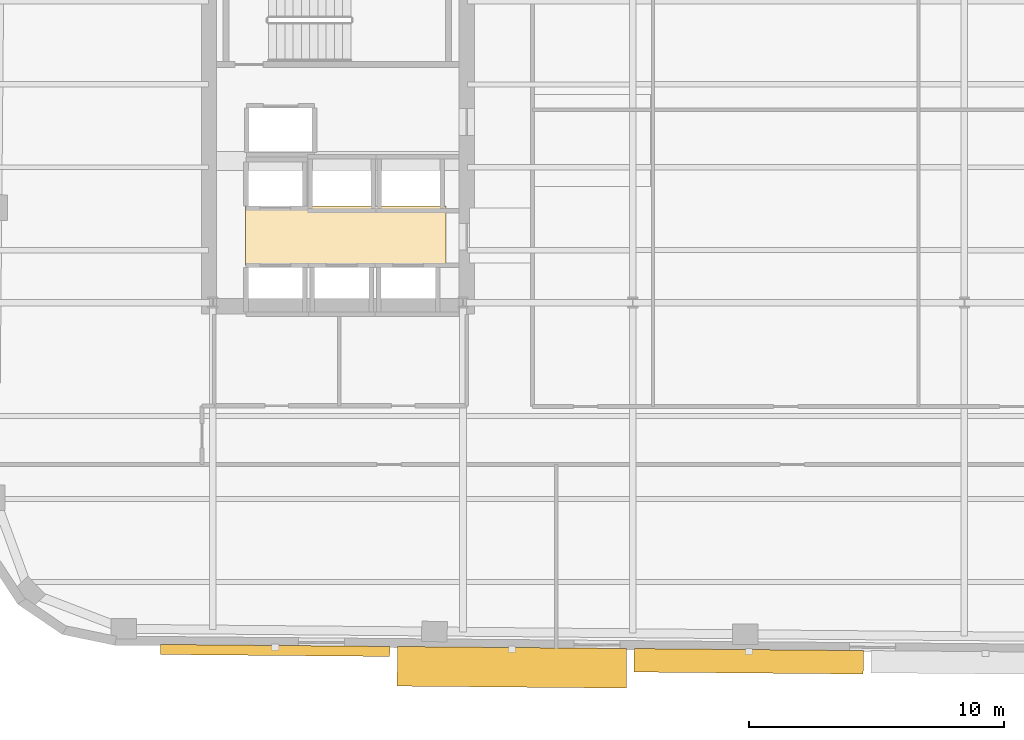
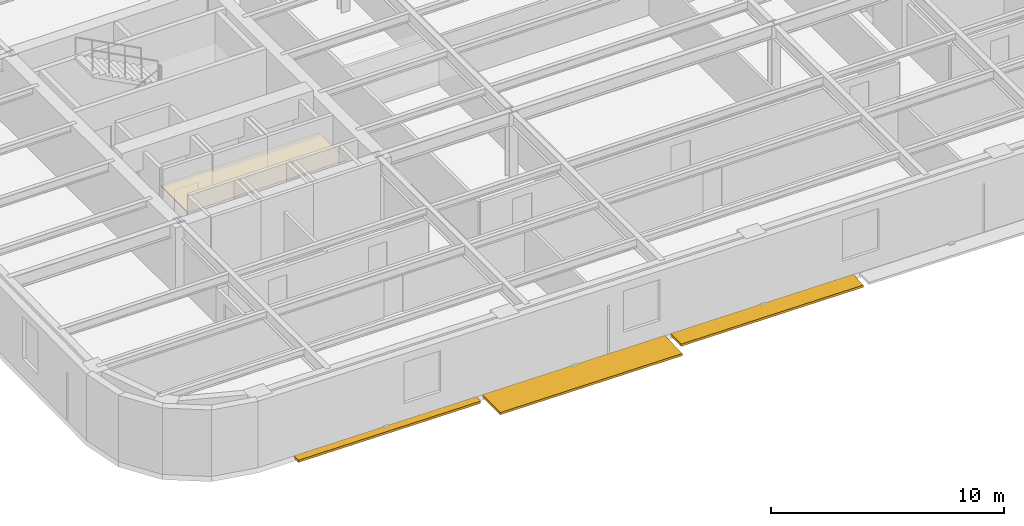
# One storey, part 8 of 11: 3 shading devices, 1 covering.
"""IFC4 building model written with IfcOpenShell, lengths in metres."""

from ifc_helpers import new_model, si_unit, direction, frame, origin, origin_2d, place, context, subcontext, project, spatial, polyline, rectangle, outline, extrude, material, layer, layer_set, type_object, element, save


model = new_model("IFC4")

# Units and contexts
model_context = context("Model", 3, precision=1e-05, world=origin(), true_north=direction((0.0, 1.0)))
body_context = subcontext(model_context, "Body", "Model", "MODEL_VIEW")
ifc_project = project(units=[si_unit("LENGTHUNIT", "METRE"), si_unit("AREAUNIT", "SQUARE_METRE"), si_unit("VOLUMEUNIT", "CUBIC_METRE"), si_unit("PLANEANGLEUNIT", "RADIAN"), si_unit("MASSUNIT", "GRAM", prefix="KILO")], contexts=[model_context])

# Site, building, storey
site_placement = place(None, origin())
site = spatial("IfcSite", under=ifc_project, at=site_placement, CompositionType="ELEMENT")
building_placement = place(site_placement, origin())
building = spatial("IfcBuilding", under=site, at=building_placement, Name="Kolvaren Arena Tower", CompositionType="ELEMENT")
storey_placement = place(building_placement, frame((0.0, 0.0, 169.699951171875)))
storey = spatial("IfcBuildingStorey", under=building, at=storey_placement, Name="L40", CompositionType="ELEMENT", Elevation=169.699951171875)

# Covering
ifc_material_1 = material(Name="Moisture-resistant gypsum ceiling", Category="gypsum")
ifc_layer = layer(ifc_material_1, 0.030029296875)
ifc_layer_set = layer_set([ifc_layer], Name="Moisture-resistant gypsum ceiling")
covering_type = type_object("IfcCoveringType", Name="CEIL-GYP-1", PredefinedType="CEILING", material=ifc_layer_set)
covering_placement = place(storey_placement, frame((0.0, 0.0, 2.52001953125)))
element("IfcCovering", 1, at=covering_placement, inside=storey, type_object=covering_type, Name="Suspended Ceiling (L40)", PredefinedType="CEILING", context=body_context, shape_type="SweptSolid", body=[
    extrude(outline(polyline([(15.820068359375, 20.89990234375), (15.820068359375, 23.239990234375), (23.679931640625, 23.239990234375), (23.679931640625, 20.89990234375), (15.820068359375, 20.89990234375)])), origin(), (0.0, 0.0, 1.0), 0.030029296875),
])

# Shading devices
ifc_material_2 = material(Name="Architectural precast GFRC and anodised aluminium sunshade", Category="concrete")
shading_device_type_1 = type_object("IfcShadingDeviceType", Name="SHAD-SINE-A", PredefinedType="USERDEFINED", material=ifc_material_2)
shading_device_1_placement = place(storey_placement, frame((35.547607421875, 5.389892578125, -0.139892578125), z_axis=(0.0, 0.0, 1.0), x_axis=(-0.999961923064, 0.008726535498, 0.0)))
element("IfcShadingDevice", 2, at=shading_device_1_placement, inside=storey, type_object=shading_device_type_1, Name="Sinusoidal Slab-Edge Sunshade Louvre (L40)", ObjectType="LOUVRE", PredefinedType="USERDEFINED", context=body_context, shape_type="SweptSolid", body=[
    extrude(rectangle(XDim=8.97998046875, YDim=0.919677734375, at=origin_2d()), origin(), (0.0, 0.0, 1.0), 0.1201171875),
])
shading_device_2_placement = place(storey_placement, frame((16.990478515625, 5.814697265625, -0.139892578125), z_axis=(0.0, 0.0, 1.0), x_axis=(-0.999961923064, 0.008726535498, 0.0)))
element("IfcShadingDevice", 3, at=shading_device_2_placement, inside=storey, type_object=shading_device_type_1, Name="Sinusoidal Slab-Edge Sunshade Louvre (L40)", ObjectType="LOUVRE", PredefinedType="USERDEFINED", context=body_context, shape_type="SweptSolid", body=[
    extrude(rectangle(XDim=8.97998046875, YDim=0.393798828125, at=origin_2d()), origin(), (0.0, 0.0, 1.0), 0.1201171875),
])
shading_device_type_2 = type_object("IfcShadingDeviceType", Name="SHAD-SINE-B", PredefinedType="JALOUSIE", material=ifc_material_2)
shading_device_3_placement = place(storey_placement, frame((26.26513671875, 5.154296875, -0.139892578125), z_axis=(0.0, 0.0, 1.0), x_axis=(-0.999961923064, 0.008726535498, 0.0)))
element("IfcShadingDevice", 4, at=shading_device_3_placement, inside=storey, type_object=shading_device_type_2, Name="Sinusoidal Slab-Edge Sunshade Louvre (L40)", PredefinedType="JALOUSIE", context=body_context, shape_type="SweptSolid", body=[
    extrude(rectangle(XDim=8.97998046875, YDim=1.55224609375, at=origin_2d()), origin(), (0.0, 0.0, 1.0), 0.1201171875),
])

save(model, "model.ifc")
